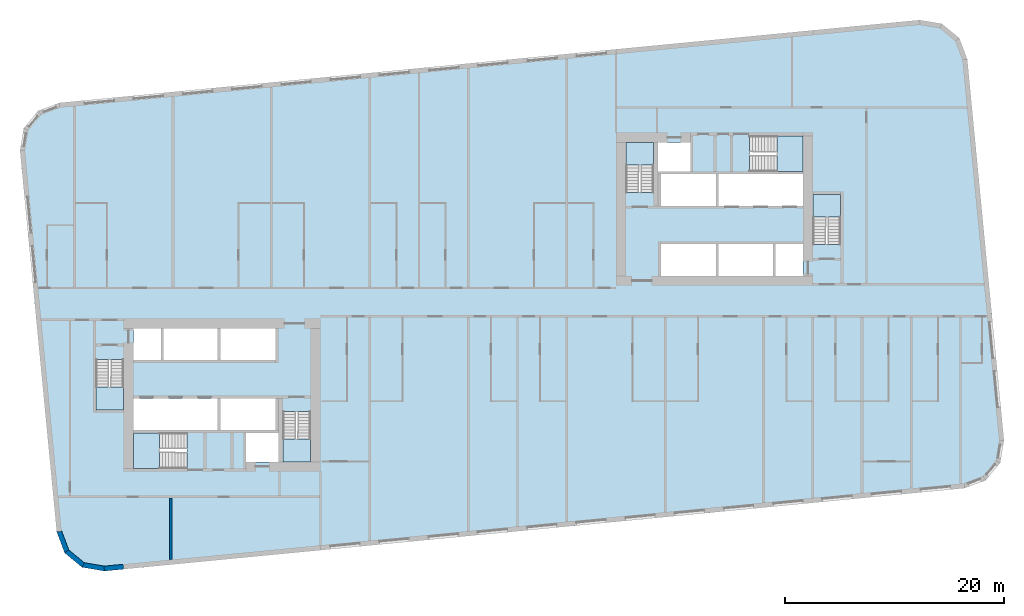
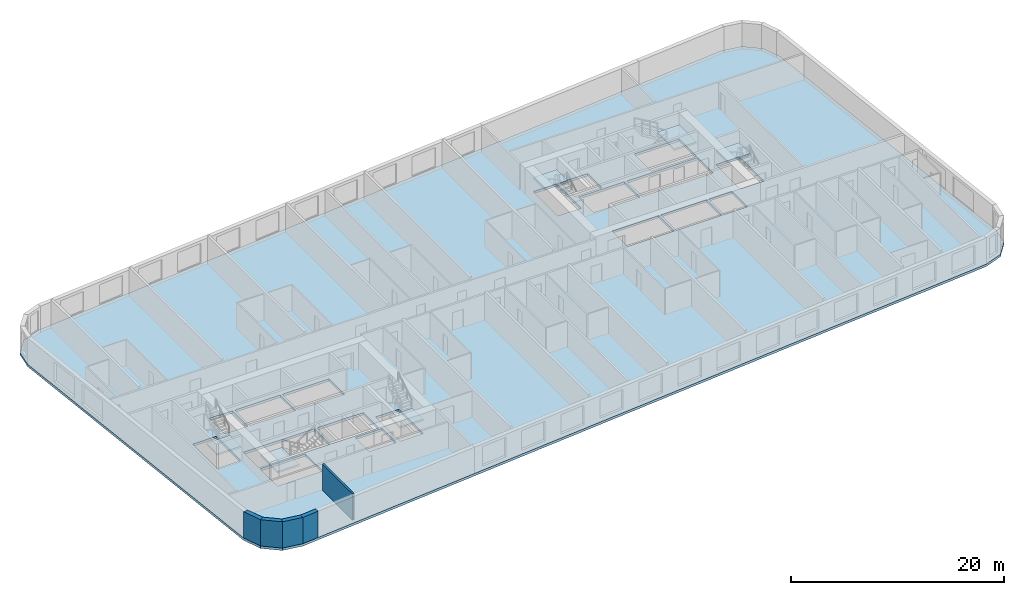
# One storey, part 1 of 12: 7 slabs, 5 walls, 6 elements without a shape of their own.
"""IFC4 building model written with IfcOpenShell, lengths in metres."""

from ifc_helpers import new_model, si_unit, direction, frame, frame_2d, origin, place, context, subcontext, project, spatial, polyline, rectangle, outline, extrude, material, layer, layer_set, type_object, element, aggregate, save


model = new_model("IFC4")

# Units and contexts
model_context = context("Model", 3, precision=1e-05, world=origin(), true_north=direction((0.0, 1.0)))
body_context = subcontext(model_context, "Body", "Model", "MODEL_VIEW")
ifc_project = project(units=[si_unit("LENGTHUNIT", "METRE"), si_unit("AREAUNIT", "SQUARE_METRE"), si_unit("VOLUMEUNIT", "CUBIC_METRE"), si_unit("PLANEANGLEUNIT", "RADIAN"), si_unit("MASSUNIT", "GRAM", prefix="KILO")], contexts=[model_context])

# Site, building, storey
site_placement = place(None, origin())
site = spatial("IfcSite", under=ifc_project, at=site_placement, CompositionType="ELEMENT")
building_placement = place(site_placement, origin())
building = spatial("IfcBuilding", under=site, at=building_placement, Name="Kajstack Hotel Tower", CompositionType="ELEMENT")
storey_placement = place(building_placement, frame((0.0, 0.0, 133.89990234375)))
storey = spatial("IfcBuildingStorey", under=building, at=storey_placement, Name="L30", CompositionType="ELEMENT", Elevation=133.89990234375)

# Slab
ifc_material_1 = material(Name="Concrete C40/50", Category="concrete")
ifc_layer_1 = layer(ifc_material_1, 0.280029296875)
ifc_layer_set_1 = layer_set([ifc_layer_1], Name="RC slab 280 C40/50 guest")
slab_type_1 = type_object("IfcSlabType", Name="RC slab 280 C40/50 guest", PredefinedType="FLOOR", material=ifc_layer_set_1)
slab_1_placement = place(storey_placement, frame((0.0, 0.0, -0.27978515625)))
element("IfcSlab", 1, at=slab_1_placement, inside=storey, type_object=slab_type_1, Name="S-slab-L30", PredefinedType="FLOOR", context=body_context, shape_type="SweptSolid", body=[
    extrude(outline(polyline([(-40.97705078125, 13.85009765625), (-37.622314453125, -20.98876953125), (-36.897216796875, -22.92822265625), (-35.299560546875, -24.2451171875), (-33.257568359375, -24.5869140625), (45.37890625, -17.01513671875), (47.318359375, -16.2900390625), (48.63525390625, -14.6923828125), (48.97705078125, -12.650146484375), (45.622314453125, 22.188720703125), (44.897216796875, 24.128173828125), (43.299560546875, 25.4453125), (41.257568359375, 25.786865234375), (-37.37890625, 18.215087890625), (-39.318359375, 17.489990234375), (-40.63525390625, 15.892333984375), (-40.97705078125, 13.85009765625)]), holes=[polyline([(-30.60009765625, -11.699951171875), (-30.60009765625, -8.800048828125), (-22.89990234375, -8.800048828125), (-22.89990234375, -11.699951171875), (-30.60009765625, -11.699951171875)]), polyline([(-22.64990234375, -11.699951171875), (-22.64990234375, -8.800048828125), (-17.60009765625, -8.800048828125), (-17.60009765625, -11.699951171875), (-22.64990234375, -11.699951171875)]), polyline([(-27.85009765625, -5.300048828125), (-27.85009765625, -2.39990234375), (-22.89990234375, -2.39990234375), (-22.89990234375, -5.300048828125), (-27.85009765625, -5.300048828125)]), polyline([(-22.64990234375, -5.300048828125), (-22.64990234375, -2.39990234375), (-17.60009765625, -2.39990234375), (-17.60009765625, -5.300048828125), (-22.64990234375, -5.300048828125)]), polyline([(-20.300048828125, -14.60009765625), (-17.35009765625, -14.60009765625), (-17.35009765625, -11.949951171875), (-20.300048828125, -11.949951171875), (-20.300048828125, -14.60009765625)]), polyline([(-30.60009765625, -5.300048828125), (-28.10009765625, -5.300048828125), (-28.10009765625, -2.39990234375), (-30.60009765625, -2.39990234375), (-30.60009765625, -5.300048828125)]), polyline([(22.89990234375, 8.800048828125), (22.89990234375, 11.699951171875), (30.60009765625, 11.699951171875), (30.60009765625, 8.800048828125), (22.89990234375, 8.800048828125)]), polyline([(17.60009765625, 8.800048828125), (17.60009765625, 11.699951171875), (22.64990234375, 11.699951171875), (22.64990234375, 8.800048828125), (17.60009765625, 8.800048828125)]), polyline([(22.89990234375, 2.39990234375), (22.89990234375, 5.300048828125), (27.85009765625, 5.300048828125), (27.85009765625, 2.39990234375), (22.89990234375, 2.39990234375)]), polyline([(17.60009765625, 2.39990234375), (17.60009765625, 5.300048828125), (22.64990234375, 5.300048828125), (22.64990234375, 2.39990234375), (17.60009765625, 2.39990234375)]), polyline([(20.300048828125, 14.60009765625), (17.35009765625, 14.60009765625), (17.35009765625, 11.949951171875), (20.300048828125, 11.949951171875), (20.300048828125, 14.60009765625)]), polyline([(30.60009765625, 5.300048828125), (28.10009765625, 5.300048828125), (28.10009765625, 2.39990234375), (30.60009765625, 2.39990234375), (30.60009765625, 5.300048828125)]), polyline([(-34.050048828125, -9.85009765625), (-31.5, -9.85009765625), (-31.5, -5.25), (-34.050048828125, -5.25), (-34.050048828125, -9.85009765625)]), polyline([(-16.949951171875, -14.60009765625), (-14.39990234375, -14.60009765625), (-14.39990234375, -10.0), (-16.949951171875, -10.0), (-16.949951171875, -14.60009765625)]), polyline([(-30.60009765625, -15.199951171875), (-25.699951171875, -15.199951171875), (-25.699951171875, -11.949951171875), (-30.60009765625, -11.949951171875), (-30.60009765625, -15.199951171875)]), polyline([(34.050048828125, 9.85009765625), (31.5, 9.85009765625), (31.5, 5.25), (34.050048828125, 5.25), (34.050048828125, 9.85009765625)]), polyline([(16.949951171875, 14.60009765625), (14.39990234375, 14.60009765625), (14.39990234375, 10.0), (16.949951171875, 10.0), (16.949951171875, 14.60009765625)]), polyline([(30.60009765625, 15.199951171875), (25.699951171875, 15.199951171875), (25.699951171875, 11.949951171875), (30.60009765625, 11.949951171875), (30.60009765625, 15.199951171875)])]), origin(), (0.0, 0.0, 1.0), 0.27978515625),
])

# Stair, slab
stair_type_1 = type_object("IfcStairType", Name="Exit stair 1200", PredefinedType="HALF_TURN_STAIR", material=ifc_material_1)
stair_1_placement = place(storey_placement, origin())
stair_1 = element("IfcStair", 2, at=stair_1_placement, inside=storey, type_object=stair_type_1, Name="L30 stair W1", PredefinedType="HALF_TURN_STAIR")
ifc_layer_2 = layer(ifc_material_1, 0.199951171875)
ifc_layer_set_2 = layer_set([ifc_layer_2], Name="Stair landing 200")
slab_type_2 = type_object("IfcSlabType", Name="Stair landing 200", PredefinedType="LANDING", material=ifc_layer_set_2)
slab_2_placement = place(storey_placement, frame((0.0, 0.0, 1.4501953125)))
slab_2 = element("IfcSlab", 3, at=slab_2_placement, type_object=slab_type_2, Name="W1 landing 1", PredefinedType="LANDING", context=body_context, shape_type="SweptSolid", body=[
    extrude(outline(polyline([(-34.050048828125, -7.77001953125), (-34.050048828125, -9.85009765625), (-31.5, -9.85009765625), (-31.5, -7.77001953125), (-34.050048828125, -7.77001953125)])), origin(), (0.0, 0.0, 1.0), 0.199951171875),
])
aggregate(stair_1, [slab_2])

stair_2_placement = place(storey_placement, origin())
stair_2 = element("IfcStair", 4, at=stair_2_placement, inside=storey, type_object=stair_type_1, Name="L30 stair W2", PredefinedType="HALF_TURN_STAIR")
slab_3_placement = place(storey_placement, frame((0.0, 0.0, 1.4501953125)))
slab_3 = element("IfcSlab", 5, at=slab_3_placement, type_object=slab_type_2, Name="W2 landing 1", PredefinedType="LANDING", context=body_context, shape_type="SweptSolid", body=[
    extrude(outline(polyline([(-16.949951171875, -12.52001953125), (-16.949951171875, -14.60009765625), (-14.39990234375, -14.60009765625), (-14.39990234375, -12.52001953125), (-16.949951171875, -12.52001953125)])), origin(), (0.0, 0.0, 1.0), 0.199951171875),
])
aggregate(stair_2, [slab_3])

stair_type_2 = type_object("IfcStairType", Name="Exit stair 1500", PredefinedType="HALF_TURN_STAIR", material=ifc_material_1)
stair_3_placement = place(storey_placement, origin())
stair_3 = element("IfcStair", 6, at=stair_3_placement, inside=storey, type_object=stair_type_2, Name="L30 stair W3", PredefinedType="HALF_TURN_STAIR")
slab_4_placement = place(storey_placement, frame((0.0, 0.0, 1.4501953125)))
slab_4 = element("IfcSlab", 7, at=slab_4_placement, type_object=slab_type_2, Name="W3 landing 1", PredefinedType="LANDING", context=body_context, shape_type="SweptSolid", body=[
    extrude(outline(polyline([(-28.219970703125, -11.949951171875), (-30.60009765625, -11.949951171875), (-30.60009765625, -15.199951171875), (-28.219970703125, -15.199951171875), (-28.219970703125, -11.949951171875)])), origin(), (0.0, 0.0, 1.0), 0.199951171875),
])
aggregate(stair_3, [slab_4])

stair_4_placement = place(storey_placement, origin())
stair_4 = element("IfcStair", 8, at=stair_4_placement, inside=storey, type_object=stair_type_1, Name="L30 stair E1", PredefinedType="HALF_TURN_STAIR")
slab_5_placement = place(storey_placement, frame((0.0, 0.0, 1.4501953125)))
slab_5 = element("IfcSlab", 9, at=slab_5_placement, type_object=slab_type_2, Name="E1 landing 1", PredefinedType="LANDING", context=body_context, shape_type="SweptSolid", body=[
    extrude(outline(polyline([(34.050048828125, 7.77001953125), (34.050048828125, 9.85009765625), (31.5, 9.85009765625), (31.5, 7.77001953125), (34.050048828125, 7.77001953125)])), origin(), (0.0, 0.0, 1.0), 0.199951171875),
])
aggregate(stair_4, [slab_5])

stair_5_placement = place(storey_placement, origin())
stair_5 = element("IfcStair", 10, at=stair_5_placement, inside=storey, type_object=stair_type_1, Name="L30 stair E2", PredefinedType="HALF_TURN_STAIR")
slab_6_placement = place(storey_placement, frame((0.0, 0.0, 1.4501953125)))
slab_6 = element("IfcSlab", 11, at=slab_6_placement, type_object=slab_type_2, Name="E2 landing 1", PredefinedType="LANDING", context=body_context, shape_type="SweptSolid", body=[
    extrude(outline(polyline([(16.949951171875, 12.52001953125), (16.949951171875, 14.60009765625), (14.39990234375, 14.60009765625), (14.39990234375, 12.52001953125), (16.949951171875, 12.52001953125)])), origin(), (0.0, 0.0, 1.0), 0.199951171875),
])
aggregate(stair_5, [slab_6])

stair_6_placement = place(storey_placement, origin())
stair_6 = element("IfcStair", 12, at=stair_6_placement, inside=storey, type_object=stair_type_2, Name="L30 stair E3", PredefinedType="HALF_TURN_STAIR")
slab_7_placement = place(storey_placement, frame((0.0, 0.0, 1.4501953125)))
slab_7 = element("IfcSlab", 13, at=slab_7_placement, type_object=slab_type_2, Name="E3 landing 1", PredefinedType="LANDING", context=body_context, shape_type="SweptSolid", body=[
    extrude(outline(polyline([(28.219970703125, 11.949951171875), (30.60009765625, 11.949951171875), (30.60009765625, 15.199951171875), (28.219970703125, 15.199951171875), (28.219970703125, 11.949951171875)])), origin(), (0.0, 0.0, 1.0), 0.199951171875),
])
aggregate(stair_6, [slab_7])

# Walls
ifc_material_2 = material(Name="Terracotta-faced brick masonry", Category="masonry")
ifc_layer_3 = layer(ifc_material_2, 0.449951171875)
ifc_layer_set_3 = layer_set([ifc_layer_3], Name="EW-TERRA")
wall_type_1 = type_object("IfcWallType", Name="EW-TERRA", PredefinedType="SOLIDWALL", material=ifc_layer_set_3)
for number, where, z_axis, x_axis, name in (
    (14, (-37.41162109375, -20.909912109375, 0.0), (0.0, 0.0, 1.0), (0.350192909346, -0.936677599948, 0.0), "E-wall-L30-01-00"),
    (15, (-36.754150390625, -22.754638671875, 0.0), (0.0, 0.0, 1.0), (0.771651049663, -0.636046112757, 0.0), "E-wall-L30-02-00"),
):
    element("IfcWall", number, at=place(storey_placement, frame(where, z_axis=z_axis, x_axis=x_axis)), inside=storey, type_object=wall_type_1, Name=name, PredefinedType="SOLIDWALL", context=body_context, shape_type="SweptSolid", body=[
        extrude(outline(polyline([(0.0, -0.22509765625), (2.070556640625, -0.22509765625), (1.949951171875, 0.224853515625), (0.12060546875, 0.22509765625), (0.0, -0.22509765625)])), origin(), (0.0, 0.0, 1.0), 3.02001953125),
    ])
wall_1_placement = place(storey_placement, frame((-35.262451171875, -24.023193359375, 0.0), z_axis=(0.0, 0.0, 1.0), x_axis=(0.986278951104, -0.165087342366, 0.0)))
element("IfcWall", 16, at=wall_1_placement, inside=storey, type_object=wall_type_1, Name="E-wall-L30-03-00", PredefinedType="SOLIDWALL", context=body_context, shape_type="SweptSolid", body=[
    extrude(outline(polyline([(0.0, -0.22509765625), (2.070556640625, -0.22509765625), (1.949951171875, 0.22509765625), (0.12060546875, 0.224853515625), (0.0, -0.22509765625)])), origin(), (0.0, 0.0, 1.0), 3.02001953125),
])
wall_2_placement = place(storey_placement, frame((-33.279052734375, -24.363037109375, 0.0), z_axis=(0.0, 0.0, 1.0), x_axis=(0.995385439311, 0.095957423931, 0.0)))
element("IfcWall", 17, at=wall_2_placement, inside=storey, type_object=wall_type_1, Name="E-wall-L30-04-00", PredefinedType="SOLIDWALL", context=body_context, shape_type="SweptSolid", body=[
    extrude(rectangle(XDim=1.765625, YDim=0.449951171875, at=frame_2d((0.8828125, 0.0))), origin(), (0.0, 0.0, 1.0), 3.02001953125),
])
ifc_material_3 = material(Name="Gypsum board on steel studs, mineral wool", Category="steel")
ifc_layer_4 = layer(ifc_material_3, 0.199951171875)
ifc_layer_set_4 = layer_set([ifc_layer_4], Name="Service partition 200")
wall_type_2 = type_object("IfcWallType", Name="Service partition 200", PredefinedType="PARTITIONING", material=ifc_layer_set_4)
wall_3_placement = place(storey_placement, frame((-27.199951171875, -23.552490234375, 0.0), z_axis=(0.0, 0.0, 1.0), x_axis=(0.0, 1.0, 0.0)))
element("IfcWall", 18, at=wall_3_placement, inside=storey, type_object=wall_type_2, Name="Partition W SLP0", PredefinedType="PARTITIONING", context=body_context, shape_type="SweptSolid", body=[
    extrude(rectangle(XDim=5.652587890625, YDim=0.199951171875, at=frame_2d((2.826171875, 0.0))), origin(), (0.0, 0.0, 1.0), 3.02001953125),
])

save(model, "model.ifc")
